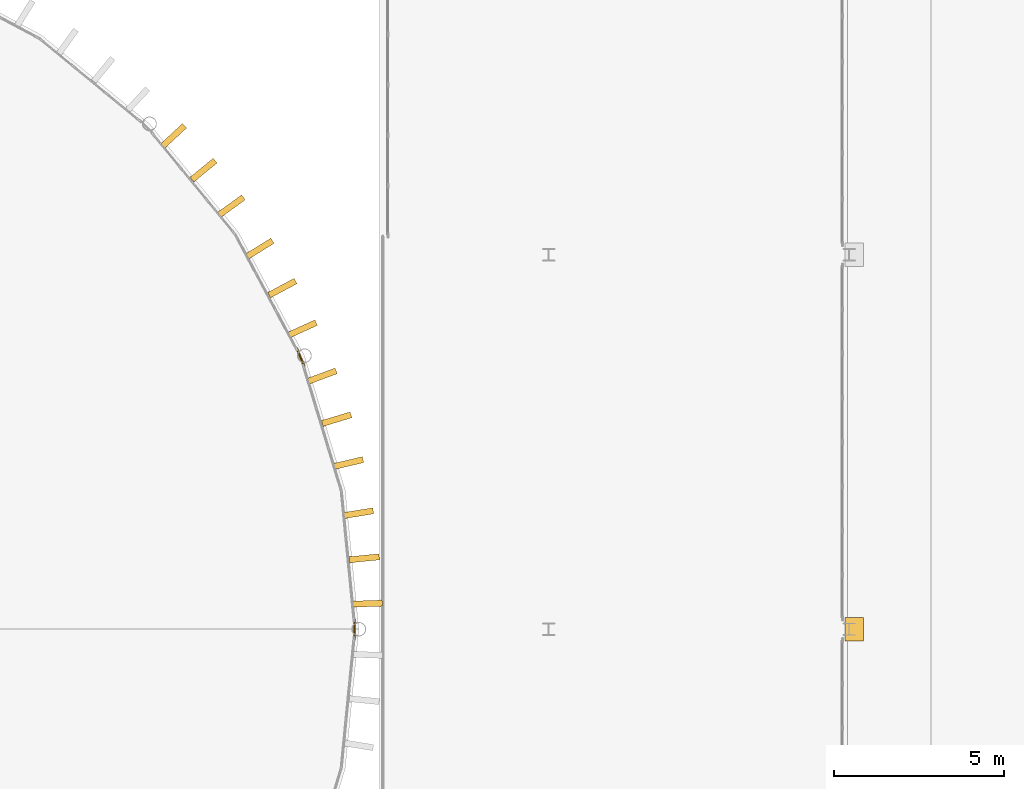
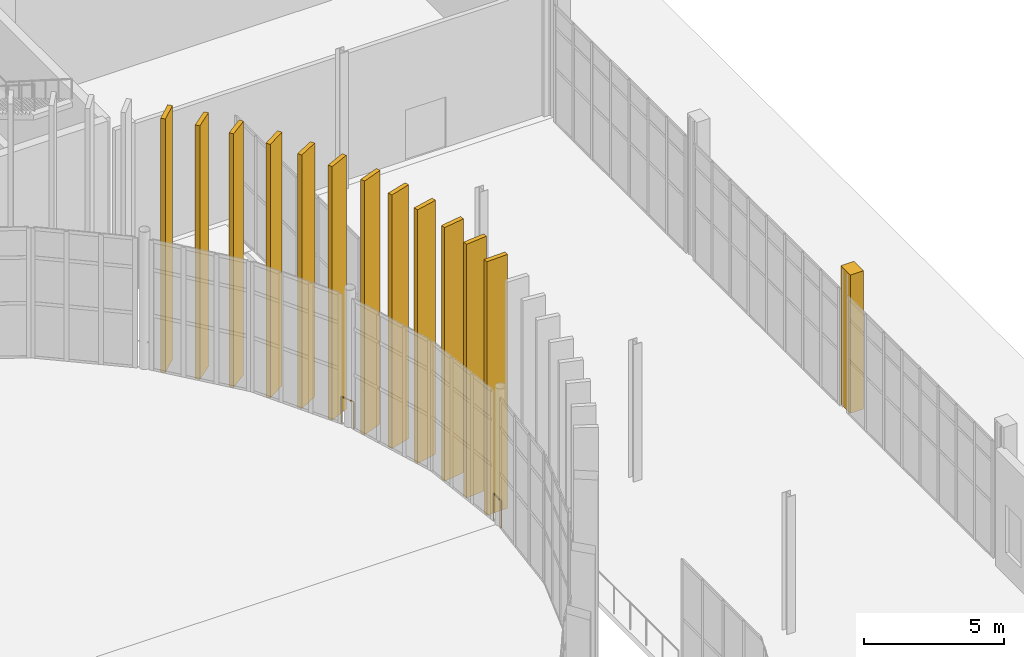
# One storey, part 132 of 139: 13 coverings, 2 railings.
"""IFC4 building model written with IfcOpenShell, lengths in metres."""

from ifc_helpers import new_model, si_unit, direction, frame, origin, origin_2d, place, context, subcontext, project, spatial, polyline, rectangle, circle, outline, extrude, material, layer, layer_set, type_object, element, save


model = new_model("IFC4")

# Units and contexts
model_context = context("Model", 3, precision=1e-05, world=origin(), true_north=direction((0.0, 1.0)))
body_context = subcontext(model_context, "Body", "Model", "MODEL_VIEW")
ifc_project = project(units=[si_unit("LENGTHUNIT", "METRE"), si_unit("AREAUNIT", "SQUARE_METRE"), si_unit("VOLUMEUNIT", "CUBIC_METRE"), si_unit("PLANEANGLEUNIT", "RADIAN"), si_unit("MASSUNIT", "GRAM", prefix="KILO")], contexts=[model_context])

# Site, building, storey
site_placement = place(None, origin())
site = spatial("IfcSite", under=ifc_project, at=site_placement, CompositionType="ELEMENT")
building_placement = place(site_placement, origin())
building = spatial("IfcBuilding", under=site, at=building_placement, Name="Yeouljin Market Hall", CompositionType="ELEMENT")
storey_placement = place(building_placement, origin())
storey = spatial("IfcBuildingStorey", under=building, at=storey_placement, Name="L00", CompositionType="ELEMENT", Elevation=0.0)

# Coverings
ifc_material_1 = material(Name="Clinker Brick Masonry F2-S2", Category="masonry")
ifc_layer_1 = layer(ifc_material_1, 0.5400390625)
ifc_layer_set_1 = layer_set([ifc_layer_1], Name="Clinker Brick Masonry F2-S2")
covering_type_1 = type_object("IfcCoveringType", Name="Covering_Clinker_PleatedPier", PredefinedType="CLADDING", material=ifc_layer_set_1)
covering_placement = place(storey_placement, origin())
element("IfcCovering", 1, at=covering_placement, inside=storey, type_object=covering_type_1, Name="Pleated clinker-brick east facade pier E-030", PredefinedType="CLADDING", context=body_context, shape_type="SweptSolid", body=[
    extrude(outline(polyline([(176.280029296875, 56.659912109375), (176.820068359375, 56.659912109375), (176.820068359375, 57.340087890625), (176.280029296875, 57.340087890625), (176.280029296875, 56.659912109375)])), origin(), (0.0, 0.0, 1.0), 6.050048828125),
])
ifc_material_2 = material(Name="White Limestone and Bronze Solar Fin", Category="masonry")
ifc_layer_2 = layer(ifc_material_2, 0.179931640625)
ifc_layer_set_2 = layer_set([ifc_layer_2], Name="White Limestone and Bronze Solar Fin")
covering_type_2 = type_object("IfcCoveringType", Name="Covering_Limestone_SolarFin", PredefinedType="CLADDING", material=ifc_layer_set_2)
for number, where, z_axis, x_axis, name in (
    (2, (162.24658203125, 57.751220703125, 0.0), (0.0, 0.0, 1.0), (0.999372416692, 0.035422771708, 0.0), "Apse radial vertical lantern fin east 162"),
    (3, (162.15771484375, 59.083740234375, 0.0), (0.0, 0.0, 1.0), (0.995176169274, 0.098103986207, 0.0), "Apse radial vertical lantern fin east 163"),
    (4, (161.985107421875, 60.408203125, 0.0), (0.0, 0.0, 1.0), (0.987080395872, 0.160225753504, 0.0), "Apse radial vertical lantern fin east 164"),
    (5, (161.69189453125, 61.8818359375, 0.0), (0.0, 0.0, 1.0), (0.973259115993, 0.229710019669, 0.0), "Apse radial vertical lantern fin east 165"),
    (6, (161.344482421875, 63.17138671875, 0.0), (0.0, 0.0, 1.0), (0.956965664205, 0.290201167351, 0.0), "Apse radial vertical lantern fin east 166"),
    (7, (160.9169921875, 64.436767578125, 0.0), (0.0, 0.0, 1.0), (0.936855428999, 0.349716892865, 0.0), "Apse radial vertical lantern fin east 167"),
    (8, (160.341796875, 65.82470703125, 0.0), (0.0, 0.0, 1.0), (0.909744013277, 0.415169640396, 0.0), "Apse radial vertical lantern fin east 168"),
    (9, (159.74951171875, 67.02197265625, 0.0), (0.0, 0.0, 1.0), (0.881880123865, 0.47147369718, 0.0), "Apse radial vertical lantern fin east 169"),
    (10, (159.08349609375, 68.179443359375, 0.0), (0.0, 0.0, 1.0), (0.850535856496, 0.525917062677, 0.0), "Apse radial vertical lantern fin east 170"),
    (11, (158.24853515625, 69.4287109375, 0.0), (0.0, 0.0, 1.0), (0.811369990919, 0.584532922799, 0.0), "Apse radial vertical lantern fin east 171"),
    (12, (157.43408203125, 70.4873046875, 0.0), (0.0, 0.0, 1.0), (0.773065811677, 0.63432582386, 0.0), "Apse radial vertical lantern fin east 172"),
    (13, (156.554931640625, 71.492431640625, 0.0), (0.0, 0.0, 1.0), (0.731591719395, 0.681743027916, 0.0), "Apse radial vertical lantern fin east 173"),
):
    element("IfcCovering", number, at=place(storey_placement, frame(where, z_axis=z_axis, x_axis=x_axis)), inside=storey, type_object=covering_type_2, Name=name, PredefinedType="CLADDING", context=body_context, shape_type="SweptSolid", body=[
        extrude(rectangle(XDim=0.8798828125, YDim=0.179931640625, at=origin_2d()), origin(), (0.0, 0.0, 1.0), 11.10009765625),
    ])

# Railings
ifc_material_3 = material(Name="Wrought Iron and Bronze Gallery Balustrade")
railing_type = type_object("IfcRailingType", Name="Railing_AtriumBalustrade_1200", PredefinedType="BALUSTRADE", material=ifc_material_3)
railing_1_placement = place(storey_placement, frame((160.17578125, 65.24658203125, 0.0)))
element("IfcRailing", 14, at=railing_1_placement, inside=storey, type_object=railing_type, Name="Gallery & deck edge balustrade L00-028", PredefinedType="BALUSTRADE", context=body_context, shape_type="SweptSolid", body=[
    extrude(circle(Radius=0.02392578125, at=origin_2d()), frame((0.0, 0.0, 1.17578125), z_axis=(0.382390216249, -0.924000932097, 0.0), x_axis=(0.924000932097, 0.382390216249, 0.0)), (0.0, 0.0, 1.0), 0.561279296875),
    extrude(circle(Radius=0.02099609375, at=origin_2d()), origin(), (0.0, 0.0, 1.0), 1.15185546875),
    extrude(circle(Radius=0.02099609375, at=origin_2d()), frame((0.214599609375, -0.5185546875, 0.0)), (0.0, 0.0, 1.0), 1.15185546875),
])
railing_2_placement = place(storey_placement, frame((161.871826171875, 57.280517578125, 0.0)))
element("IfcRailing", 15, at=railing_2_placement, inside=storey, type_object=railing_type, Name="Gallery & deck edge balustrade L00-029", PredefinedType="BALUSTRADE", context=body_context, shape_type="SweptSolid", body=[
    extrude(circle(Radius=0.02392578125, at=origin_2d()), frame((0.0, 0.0, 1.17578125), z_axis=(0.0, -1.0, 0.0), x_axis=(1.0, 0.0, 0.0)), (0.0, 0.0, 1.0), 0.56103515625),
    extrude(circle(Radius=0.02099609375, at=origin_2d()), origin(), (0.0, 0.0, 1.0), 1.15185546875),
    extrude(circle(Radius=0.02099609375, at=origin_2d()), frame((0.0, -0.56103515625, 0.0)), (0.0, 0.0, 1.0), 1.15185546875),
])

save(model, "model.ifc")
